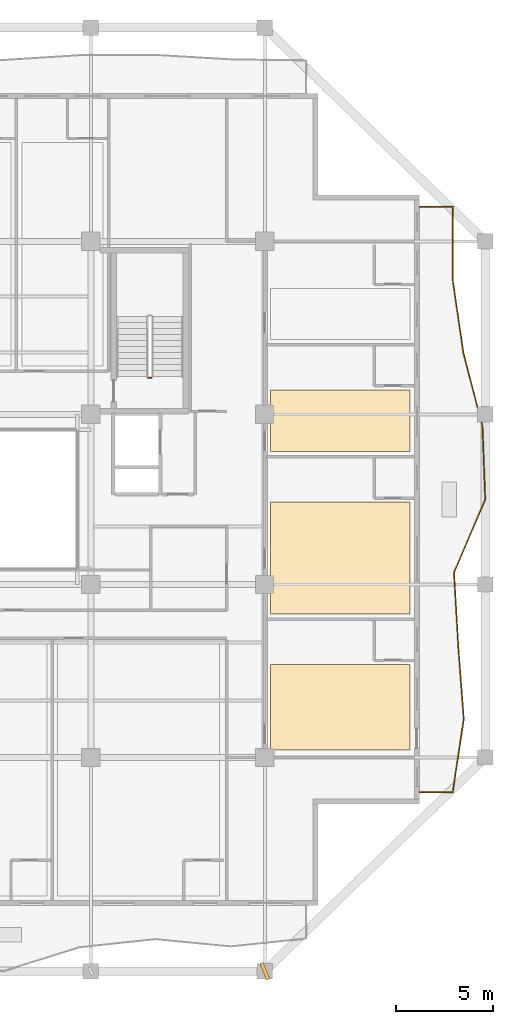
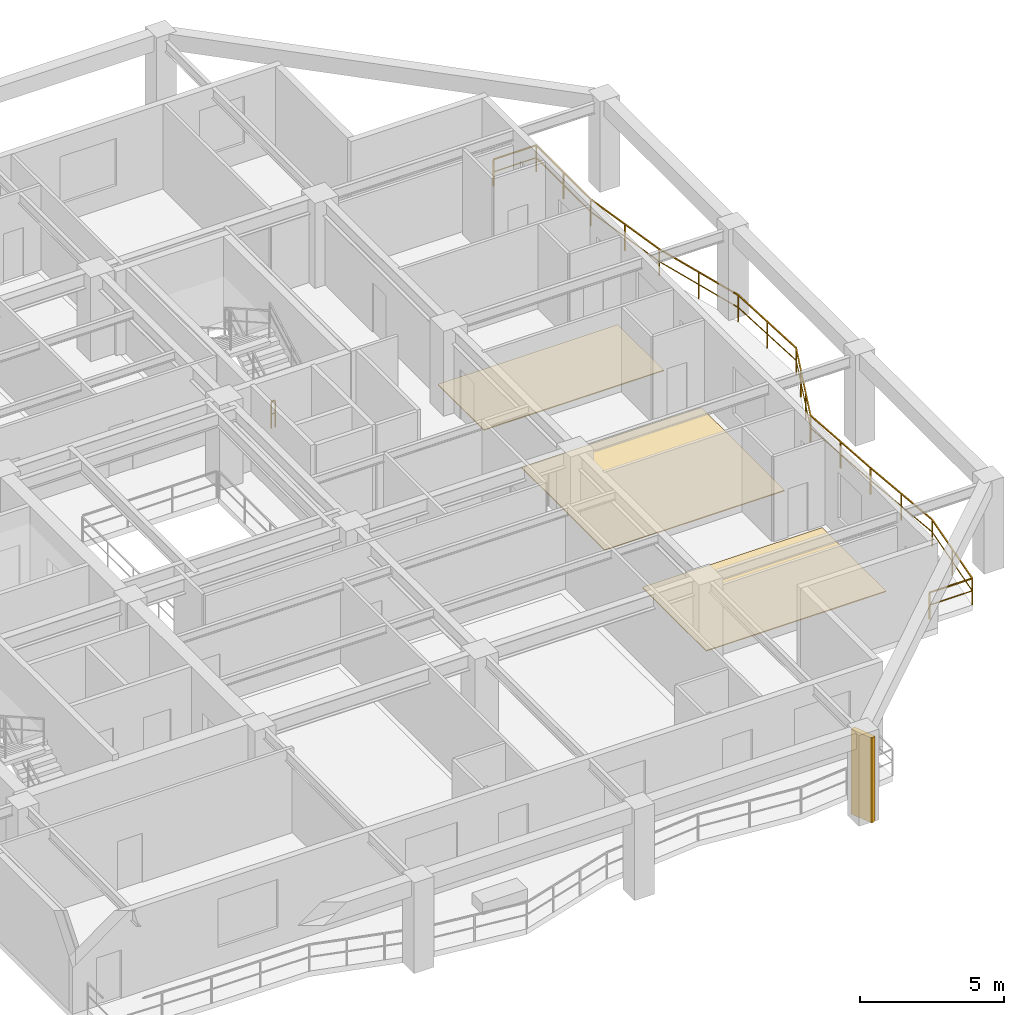
# One storey, part 10 of 13: 3 coverings, 2 railings, 1 shading device.
"""IFC4 building model written with IfcOpenShell, lengths in metres."""

import ifcopenshell
import ifcopenshell.guid

model = None  # the IFC model being written
_history = None  # IfcOwnerHistory: only IFC2X3 demands one
_inside = {}  # id of a spatial element -> (the spatial element, [elements in it])
_under = {}  # id of a project, library or spatial element -> (it, [spatial elements below it])
_declared = {}  # id of a project -> (the project, [libraries it declares])
_typed = {}  # id of a type object -> (the type object, [elements of that type])
_made_of = {}  # id of a material, layer set ... -> (it, [elements and type objects made of it])


def new_model(schema):
    """Start an empty IFC model of exactly this schema.

    Asked for "IFC4X3", IfcOpenShell would pick the latest addendum, in which some entities
    have other attributes; the version numbers below select the first issue.
    IFC2X3 requires an IfcOwnerHistory on every rooted entity: one is made here for all.
    """
    global model, _history
    if schema == "IFC4X3":
        model = ifcopenshell.file(schema_version=(4, 3, 0, 0))
    else:
        model = ifcopenshell.file(schema=schema)
    _inside.clear()
    _under.clear()
    _declared.clear()
    _typed.clear()
    _made_of.clear()
    _history = None
    if model.schema == "IFC2X3":
        org = make("IfcOrganization", Name="unknown")
        user = make(
            "IfcPersonAndOrganization",
            ThePerson=make("IfcPerson", FamilyName="unknown"),
            TheOrganization=org,
        )
        app = make(
            "IfcApplication",
            ApplicationDeveloper=org,
            Version="unknown",
            ApplicationFullName="unknown",
            ApplicationIdentifier="unknown",
        )
        _history = make(
            "IfcOwnerHistory",
            OwningUser=user,
            OwningApplication=app,
            ChangeAction="ADDED",
            CreationDate=0,
        )
    return model


def make(cls, **values):
    """One entity of the class cls with the attributes given. An attribute that is None is left unset."""
    return model.create_entity(
        cls, **{name: value for name, value in values.items() if value is not None}
    )


def rooted(cls, **values):
    """An entity with a GlobalId (a new one), such as an element, a storey or a relation."""
    return make(cls, GlobalId=ifcopenshell.guid.new(), OwnerHistory=_history, **values)


def si_unit(unit_type, name, prefix=None):
    """IfcSIUnit, for example si_unit("LENGTHUNIT", "METRE", prefix="MILLI")."""
    return make("IfcSIUnit", UnitType=unit_type, Prefix=prefix, Name=name)


def assignment(units):
    """IfcUnitAssignment: the units of a project."""
    return None if units is None else make("IfcUnitAssignment", Units=units)


def point(xyz):
    """IfcCartesianPoint."""
    return None if xyz is None else make("IfcCartesianPoint", Coordinates=xyz)


def direction(xyz):
    """IfcDirection."""
    return None if xyz is None else make("IfcDirection", DirectionRatios=xyz)


def frame(location, z_axis=None, x_axis=None):
    """IfcAxis2Placement3D, a coordinate frame: its origin and axes. An axis left out is left unset."""
    return make(
        "IfcAxis2Placement3D",
        Location=point(location),
        Axis=direction(z_axis),
        RefDirection=direction(x_axis),
    )


def frame_2d(location, x_axis=None):
    """IfcAxis2Placement2D, a coordinate frame in the plane: its origin and x axis."""
    return make(
        "IfcAxis2Placement2D", Location=point(location), RefDirection=direction(x_axis)
    )


def origin():
    """The frame at (0, 0, 0) with its axes left unset."""
    return frame((0.0, 0.0, 0.0))


def origin_2d():
    """The frame at (0, 0) in the plane with its x axis left unset."""
    return frame_2d((0.0, 0.0))


def place(relative_to, where):
    """IfcLocalPlacement: puts the frame where relative to a parent placement (None: the world)."""
    return make(
        "IfcLocalPlacement", PlacementRelTo=relative_to, RelativePlacement=where
    )


def context(
    kind, dimensions, precision=None, world=None, true_north=None, identifier=None
):
    """IfcGeometricRepresentationContext, for example the 3D "Model" context."""
    return make(
        "IfcGeometricRepresentationContext",
        ContextIdentifier=identifier,
        ContextType=kind,
        CoordinateSpaceDimension=dimensions,
        Precision=precision,
        WorldCoordinateSystem=world,
        TrueNorth=true_north,
    )


def subcontext(parent, identifier, kind, view, scale=None):
    """IfcGeometricRepresentationSubContext, for example "Body" below "Model"."""
    return make(
        "IfcGeometricRepresentationSubContext",
        ContextIdentifier=identifier,
        ContextType=kind,
        ParentContext=parent,
        TargetScale=scale,
        TargetView=view,
    )


def project(units=None, contexts=None):
    """IfcProject with its units and contexts."""
    return rooted(
        "IfcProject",
        Name="project",
        RepresentationContexts=contexts,
        UnitsInContext=assignment(units),
    )


def spatial(cls, under=None, at=None, **own):
    """A site, building, storey or space (cls), placed at a placement, below another one or the project."""
    s = rooted(cls, ObjectPlacement=at, **own)
    if under is not None:
        _under.setdefault(under.id(), (under, []))[1].append(s)
    return s


def polyline(points):
    """IfcPolyline through the points."""
    return make("IfcPolyline", Points=[point(p) for p in points])


def profile(cls, at=None, kind="AREA", **sizes):
    """A parametric profile (cls). Its sizes go by their IFC names, for example OverallWidth=200.0."""
    return make(cls, ProfileType=kind, Position=at, **sizes)


def rectangle(**sizes):
    """IfcRectangleProfileDef."""
    return profile("IfcRectangleProfileDef", **sizes)


def outline(outer, holes=None, kind="AREA"):
    """IfcArbitraryClosedProfileDef: a profile drawn as a closed curve; with holes, ...WithVoids."""
    if holes is None:
        return make("IfcArbitraryClosedProfileDef", ProfileType=kind, OuterCurve=outer)
    return make(
        "IfcArbitraryProfileDefWithVoids",
        ProfileType=kind,
        OuterCurve=outer,
        InnerCurves=holes,
    )


def extrude(swept, where, along, depth):
    """IfcExtrudedAreaSolid: the profile swept, set in the frame where, extruded along a direction by depth."""
    return make(
        "IfcExtrudedAreaSolid",
        SweptArea=swept,
        Position=where,
        ExtrudedDirection=direction(along),
        Depth=depth,
    )


def shape(context_of_items, identifier, shape_type, items):
    """IfcShapeRepresentation: the items that make up one representation, for example the "Body"."""
    return make(
        "IfcShapeRepresentation",
        ContextOfItems=context_of_items,
        RepresentationIdentifier=identifier,
        RepresentationType=shape_type,
        Items=items,
    )


def material(Name=None, Category=None):
    """IfcMaterial."""
    return make("IfcMaterial", Name=Name, Category=Category)


def layer(
    of_material, thickness, ventilated=None, Name=None, Category=None, Priority=None
):
    """IfcMaterialLayer: one layer of a wall or slab, of a material (None: an air gap)."""
    return make(
        "IfcMaterialLayer",
        Material=of_material,
        LayerThickness=thickness,
        IsVentilated=ventilated,
        Name=Name,
        Category=Category,
        Priority=Priority,
    )


def layer_set(layers, Name=None):
    """IfcMaterialLayerSet."""
    return make("IfcMaterialLayerSet", MaterialLayers=layers, LayerSetName=Name)


def made_of(thing, what):
    """Note that an element or type object is made of a material, layer set ...; save() writes the relation."""
    if what is not None:
        _made_of.setdefault(what.id(), (what, []))[1].append(thing)
    return thing


def type_object(cls, material=None, **own):
    """A type object (cls), such as IfcWallType, which elements share."""
    return made_of(rooted(cls, **own), material)


def element(
    cls,
    number,
    at=None,
    inside=None,
    cuts=None,
    type_object=None,
    material=None,
    context=None,
    identifier="Body",
    shape_type=None,
    held_by="IfcProductDefinitionShape",
    body=None,
    shapes=None,
    **own,
):
    """One element of the class cls, such as IfcWall. Its Tag is "e" and its number.

    at: its placement. inside: the storey or other place that contains it. cuts: it is an
    opening in that element (IfcRelVoidsElement). A single representation is given by context,
    identifier, shape_type and body (its items); several are given by shapes. held_by: the class
    of the entity that holds the representations. save() writes the other relations.
    """
    e = rooted(cls, Tag="e%d" % number, ObjectPlacement=at, **own)
    if body is not None:
        shapes = [shape(context, identifier, shape_type, body)]
    if shapes is not None:
        e.Representation = make(held_by, Representations=shapes)
    if inside is not None:
        _inside.setdefault(inside.id(), (inside, []))[1].append(e)
    if cuts is not None:
        rooted(
            "IfcRelVoidsElement", RelatingBuildingElement=cuts, RelatedOpeningElement=e
        )
    if type_object is not None:
        _typed.setdefault(type_object.id(), (type_object, []))[1].append(e)
    return made_of(e, material)


def aggregate(whole, parts):
    """IfcRelAggregates: a whole, such as a stair, and the parts it consists of."""
    return rooted("IfcRelAggregates", RelatingObject=whole, RelatedObjects=parts)


def save(model, path):
    """Write the relations noted so far, then the file.

    IfcRelAggregates (storeys below a building ...), IfcRelContainedInSpatialStructure (elements
    in a storey), IfcRelDefinesByType, IfcRelAssociatesMaterial and IfcRelDeclares: one each for
    every whole, place, type object, material and project.
    """
    for whole, parts in _under.values():
        aggregate(whole, parts)
    for where, things in _inside.values():
        rooted(
            "IfcRelContainedInSpatialStructure",
            RelatedElements=things,
            RelatingStructure=where,
        )
    for kind, things in _typed.values():
        rooted("IfcRelDefinesByType", RelatedObjects=things, RelatingType=kind)
    for what, things in _made_of.values():
        rooted("IfcRelAssociatesMaterial", RelatedObjects=things, RelatingMaterial=what)
    for by, libraries in _declared.values():
        rooted("IfcRelDeclares", RelatingContext=by, RelatedDefinitions=libraries)
    model.write(path)


model = new_model("IFC4")

# Units and contexts
model_context = context("Model", 3, precision=1e-05, world=origin(), true_north=direction((0.0, 1.0)))
body_context = subcontext(model_context, "Body", "Model", "MODEL_VIEW")
ifc_project = project(units=[si_unit("LENGTHUNIT", "METRE"), si_unit("AREAUNIT", "SQUARE_METRE"), si_unit("VOLUMEUNIT", "CUBIC_METRE"), si_unit("PLANEANGLEUNIT", "RADIAN"), si_unit("MASSUNIT", "GRAM", prefix="KILO")], contexts=[model_context])

# Site, building, storey
site_placement = place(None, origin())
site = spatial("IfcSite", under=ifc_project, at=site_placement, CompositionType="ELEMENT")
building_placement = place(site_placement, origin())
building = spatial("IfcBuilding", under=site, at=building_placement, Name="Kundavana Baori Tower", CompositionType="ELEMENT")
storey_placement = place(building_placement, frame((0.0, 0.0, 161.75)))
storey = spatial("IfcBuildingStorey", under=building, at=storey_placement, Name="L39", CompositionType="ELEMENT", Elevation=161.75)

# Coverings
ifc_material_1 = material(Name="Honed Kota Stone and Terrazzo Flooring", Category="masonry")
ifc_layer = layer(ifc_material_1, 0.0400390625, Name="COV-FLR-TERR-40")
ifc_layer_set = layer_set([ifc_layer], Name="Honed Kota Stone and Terrazzo Flooring")
covering_type = type_object("IfcCoveringType", Name="COV-FLR-TERR-40", PredefinedType="FLOORING", material=ifc_layer_set)
covering_1_placement = place(storey_placement, origin())
element("IfcCovering", 1, at=covering_1_placement, inside=storey, type_object=covering_type, Name="L39 Room Finished Stone Flooring 7", PredefinedType="FLOORING", context=body_context, shape_type="SweptSolid", body=[
    extrude(outline(polyline([(43.10009765625, 15.6298828125), (50.320068359375, 15.6298828125), (50.320068359375, 20.070068359375), (43.10009765625, 20.070068359375), (43.10009765625, 15.6298828125)])), origin(), (0.0, 0.0, 1.0), 0.0400390625),
])
covering_2_placement = place(storey_placement, origin())
element("IfcCovering", 2, at=covering_2_placement, inside=storey, type_object=covering_type, Name="L39 Room Finished Stone Flooring 8", PredefinedType="FLOORING", context=body_context, shape_type="SweptSolid", body=[
    extrude(outline(polyline([(43.10009765625, 22.679931640625), (50.320068359375, 22.679931640625), (50.320068359375, 28.469970703125), (43.10009765625, 28.469970703125), (43.10009765625, 22.679931640625)])), origin(), (0.0, 0.0, 1.0), 0.0400390625),
])
covering_3_placement = place(storey_placement, origin())
element("IfcCovering", 3, at=covering_3_placement, inside=storey, type_object=covering_type, Name="L39 Room Finished Stone Flooring 9", PredefinedType="FLOORING", context=body_context, shape_type="SweptSolid", body=[
    extrude(outline(polyline([(43.10009765625, 31.080078125), (50.320068359375, 31.080078125), (50.320068359375, 34.27001953125), (43.10009765625, 34.27001953125), (43.10009765625, 31.080078125)])), origin(), (0.0, 0.0, 1.0), 0.0400390625),
])

# Railings
ifc_material_2 = material(Name="Architectural Patinated Bronze Metalwork")
railing_type_1 = type_object("IfcRailingType", Name="RL-BAL-1150", PredefinedType="BALUSTRADE", material=ifc_material_2)
railing_1_placement = place(storey_placement, frame((50.800048828125, 43.75, 0.0)))
element("IfcRailing", 4, at=railing_1_placement, inside=storey, type_object=railing_type_1, Name="L39 Loggia Balcony Balustrade E", PredefinedType="BALUSTRADE", context=body_context, shape_type="SweptSolid", body=[
    extrude(rectangle(XDim=0.048095703125, YDim=0.048095703125, at=origin_2d()), frame((0.0, 0.0, 1.1259765625), z_axis=(1.0, 0.0, 0.0), x_axis=(0.0, 1.0, 0.0)), (0.0, 0.0, 1.0), 1.719970703125),
    extrude(rectangle(XDim=0.03125, YDim=0.03125, at=origin_2d()), frame((0.0, 0.0, 0.597900390625), z_axis=(1.0, 0.0, 0.0), x_axis=(0.0, 1.0, 0.0)), (0.0, 0.0, 1.0), 1.719970703125),
    extrude(rectangle(XDim=0.048095703125, YDim=0.048095703125, at=origin_2d()), frame((1.719970703125, 0.0, 1.1259765625), z_axis=(0.0, -1.0, 0.0), x_axis=(1.0, 0.0, 0.0)), (0.0, 0.0, 1.0), 3.7880859375),
    extrude(rectangle(XDim=0.03125, YDim=0.03125, at=origin_2d()), frame((1.719970703125, 0.0, 0.597900390625), z_axis=(0.0, -1.0, 0.0), x_axis=(1.0, 0.0, 0.0)), (0.0, 0.0, 1.0), 3.7880859375),
    extrude(rectangle(XDim=0.048095703125, YDim=0.048095703125, at=origin_2d()), frame((1.719970703125, -3.7880859375, 1.1259765625), z_axis=(0.144742818996, -0.989469310464, 0.0), x_axis=(0.989469310464, 0.144742818996, 0.0)), (0.0, 0.0, 1.0), 3.8271484375),
    extrude(rectangle(XDim=0.03125, YDim=0.03125, at=origin_2d()), frame((1.719970703125, -3.7880859375, 0.597900390625), z_axis=(0.144742818996, -0.989469310464, 0.0), x_axis=(0.989469310464, 0.144742818996, 0.0)), (0.0, 0.0, 1.0), 3.8271484375),
    extrude(rectangle(XDim=0.048095703125, YDim=0.048095703125, at=origin_2d()), frame((2.27392578125, -7.574951171875, 1.1259765625), z_axis=(0.251743716415, -0.967793935322, 0.0), x_axis=(0.967793935322, 0.251743716415, 0.0)), (0.0, 0.0, 1.0), 3.9130859375),
    extrude(rectangle(XDim=0.03125, YDim=0.03125, at=origin_2d()), frame((2.27392578125, -7.574951171875, 0.597900390625), z_axis=(0.251743716415, -0.967793935322, 0.0), x_axis=(0.967793935322, 0.251743716415, 0.0)), (0.0, 0.0, 1.0), 3.9130859375),
    extrude(rectangle(XDim=0.048095703125, YDim=0.048095703125, at=origin_2d()), frame((3.259033203125, -11.362060546875, 1.1259765625), z_axis=(0.037164124663, -0.9993091753, 0.0), x_axis=(0.9993091753, 0.037164124663, 0.0)), (0.0, 0.0, 1.0), 3.79052734375),
    extrude(rectangle(XDim=0.03125, YDim=0.03125, at=origin_2d()), frame((3.259033203125, -11.362060546875, 0.597900390625), z_axis=(0.037164124663, -0.9993091753, 0.0), x_axis=(0.9993091753, 0.037164124663, 0.0)), (0.0, 0.0, 1.0), 3.79052734375),
    extrude(rectangle(XDim=0.048095703125, YDim=0.048095703125, at=origin_2d()), frame((3.39990234375, -15.14990234375, 1.1259765625), z_axis=(-0.391326505536, -0.920251903592, 0.0), x_axis=(0.920251903592, -0.391326505536, 0.0)), (0.0, 0.0, 1.0), 4.116455078125),
    extrude(rectangle(XDim=0.03125, YDim=0.03125, at=origin_2d()), frame((3.39990234375, -15.14990234375, 0.597900390625), z_axis=(-0.391326505536, -0.920251903592, 0.0), x_axis=(0.920251903592, -0.391326505536, 0.0)), (0.0, 0.0, 1.0), 4.116455078125),
    extrude(rectangle(XDim=0.048095703125, YDim=0.048095703125, at=origin_2d()), frame((1.7890625, -18.93798828125, 1.1259765625), z_axis=(0.057152432435, -0.998365463879, 0.0), x_axis=(0.998365463879, 0.057152432435, 0.0)), (0.0, 0.0, 1.0), 3.793212890625),
    extrude(rectangle(XDim=0.03125, YDim=0.03125, at=origin_2d()), frame((1.7890625, -18.93798828125, 0.597900390625), z_axis=(0.057152432435, -0.998365463879, 0.0), x_axis=(0.998365463879, 0.057152432435, 0.0)), (0.0, 0.0, 1.0), 3.793212890625),
    extrude(rectangle(XDim=0.048095703125, YDim=0.048095703125, at=origin_2d()), frame((2.005859375, -22.72509765625, 1.1259765625), z_axis=(0.075855855639, -0.997118793908, 0.0), x_axis=(0.997118793908, 0.075855855639, 0.0)), (0.0, 0.0, 1.0), 3.7978515625),
    extrude(rectangle(XDim=0.03125, YDim=0.03125, at=origin_2d()), frame((2.005859375, -22.72509765625, 0.597900390625), z_axis=(0.075855855639, -0.997118793908, 0.0), x_axis=(0.997118793908, 0.075855855639, 0.0)), (0.0, 0.0, 1.0), 3.7978515625),
    extrude(rectangle(XDim=0.048095703125, YDim=0.048095703125, at=origin_2d()), frame((2.2939453125, -26.511962890625, 1.1259765625), z_axis=(-0.149811042356, -0.988714646189, 0.0), x_axis=(0.988714646189, -0.149811042356, 0.0)), (0.0, 0.0, 1.0), 3.831298828125),
    extrude(rectangle(XDim=0.03125, YDim=0.03125, at=origin_2d()), frame((2.2939453125, -26.511962890625, 0.597900390625), z_axis=(-0.149811042356, -0.988714646189, 0.0), x_axis=(0.988714646189, -0.149811042356, 0.0)), (0.0, 0.0, 1.0), 3.831298828125),
    extrude(rectangle(XDim=0.048095703125, YDim=0.048095703125, at=origin_2d()), frame((1.719970703125, -30.300048828125, 1.1259765625), z_axis=(-1.0, 0.0, 0.0), x_axis=(0.0, -1.0, 0.0)), (0.0, 0.0, 1.0), 1.719970703125),
    extrude(rectangle(XDim=0.03125, YDim=0.03125, at=origin_2d()), frame((1.719970703125, -30.300048828125, 0.597900390625), z_axis=(-1.0, 0.0, 0.0), x_axis=(0.0, -1.0, 0.0)), (0.0, 0.0, 1.0), 1.719970703125),
    extrude(rectangle(XDim=0.0419921875, YDim=0.0419921875, at=origin_2d()), origin(), (0.0, 0.0, 1.0), 1.101806640625),
    extrude(rectangle(XDim=0.0419921875, YDim=0.0419921875, at=origin_2d()), frame((1.719970703125, 0.0, 0.0)), (0.0, 0.0, 1.0), 1.101806640625),
    extrude(rectangle(XDim=0.0419921875, YDim=0.0419921875, at=origin_2d()), frame((1.719970703125, -1.89404296875, 0.0)), (0.0, 0.0, 1.0), 1.101806640625),
    extrude(rectangle(XDim=0.0419921875, YDim=0.0419921875, at=origin_2d()), frame((1.719970703125, -3.7880859375, 0.0)), (0.0, 0.0, 1.0), 1.101806640625),
    extrude(rectangle(XDim=0.0419921875, YDim=0.0419921875, at=origin_2d()), frame((1.9970703125, -5.681640625, 0.0)), (0.0, 0.0, 1.0), 1.101806640625),
    extrude(rectangle(XDim=0.0419921875, YDim=0.0419921875, at=origin_2d()), frame((2.27392578125, -7.574951171875, 0.0)), (0.0, 0.0, 1.0), 1.101806640625),
    extrude(rectangle(XDim=0.0419921875, YDim=0.0419921875, at=origin_2d()), frame((2.7666015625, -9.468505859375, 0.0)), (0.0, 0.0, 1.0), 1.101806640625),
    extrude(rectangle(XDim=0.0419921875, YDim=0.0419921875, at=origin_2d()), frame((3.259033203125, -11.362060546875, 0.0)), (0.0, 0.0, 1.0), 1.101806640625),
    extrude(rectangle(XDim=0.0419921875, YDim=0.0419921875, at=origin_2d()), frame((3.32958984375, -13.255859375, 0.0)), (0.0, 0.0, 1.0), 1.101806640625),
    extrude(rectangle(XDim=0.0419921875, YDim=0.0419921875, at=origin_2d()), frame((3.39990234375, -15.14990234375, 0.0)), (0.0, 0.0, 1.0), 1.101806640625),
    extrude(rectangle(XDim=0.0419921875, YDim=0.0419921875, at=origin_2d()), frame((2.863037109375, -16.41259765625, 0.0)), (0.0, 0.0, 1.0), 1.101806640625),
    extrude(rectangle(XDim=0.0419921875, YDim=0.0419921875, at=origin_2d()), frame((2.325927734375, -17.67529296875, 0.0)), (0.0, 0.0, 1.0), 1.101806640625),
    extrude(rectangle(XDim=0.0419921875, YDim=0.0419921875, at=origin_2d()), frame((1.7890625, -18.93798828125, 0.0)), (0.0, 0.0, 1.0), 1.101806640625),
    extrude(rectangle(XDim=0.0419921875, YDim=0.0419921875, at=origin_2d()), frame((1.8974609375, -20.83154296875, 0.0)), (0.0, 0.0, 1.0), 1.101806640625),
    extrude(rectangle(XDim=0.0419921875, YDim=0.0419921875, at=origin_2d()), frame((2.005859375, -22.72509765625, 0.0)), (0.0, 0.0, 1.0), 1.101806640625),
    extrude(rectangle(XDim=0.0419921875, YDim=0.0419921875, at=origin_2d()), frame((2.14990234375, -24.61865234375, 0.0)), (0.0, 0.0, 1.0), 1.101806640625),
    extrude(rectangle(XDim=0.0419921875, YDim=0.0419921875, at=origin_2d()), frame((2.2939453125, -26.511962890625, 0.0)), (0.0, 0.0, 1.0), 1.101806640625),
    extrude(rectangle(XDim=0.0419921875, YDim=0.0419921875, at=origin_2d()), frame((2.0068359375, -28.406005859375, 0.0)), (0.0, 0.0, 1.0), 1.101806640625),
    extrude(rectangle(XDim=0.0419921875, YDim=0.0419921875, at=origin_2d()), frame((1.719970703125, -30.300048828125, 0.0)), (0.0, 0.0, 1.0), 1.101806640625),
    extrude(rectangle(XDim=0.0419921875, YDim=0.0419921875, at=origin_2d()), frame((0.0, -30.300048828125, 0.0)), (0.0, 0.0, 1.0), 1.101806640625),
])
ifc_material_3 = material(Name="Architectural Patinated Bronze Metalwork")
railing_type_2 = type_object("IfcRailingType", Name="RL-GRD-1150", PredefinedType="GUARDRAIL", material=ifc_material_3)
railing_2_placement = place(storey_placement, frame((36.929931640625, 34.89990234375, 0.0)))
element("IfcRailing", 5, at=railing_2_placement, inside=storey, type_object=railing_type_2, Name="L39 ST3 stair guard 4", PredefinedType="GUARDRAIL", context=body_context, shape_type="SweptSolid", body=[
    extrude(rectangle(XDim=0.048095703125, YDim=0.048095703125, at=origin_2d()), frame((0.0, 0.0, 1.1259765625), z_axis=(-1.0, 0.0, 0.0), x_axis=(0.0, -1.0, 0.0)), (0.0, 0.0, 1.0), 0.159912109375),
    extrude(rectangle(XDim=0.03125, YDim=0.03125, at=origin_2d()), frame((0.0, 0.0, 0.597900390625), z_axis=(-1.0, 0.0, 0.0), x_axis=(0.0, -1.0, 0.0)), (0.0, 0.0, 1.0), 0.159912109375),
    extrude(rectangle(XDim=0.0419921875, YDim=0.0419921875, at=origin_2d()), origin(), (0.0, 0.0, 1.0), 1.101806640625),
    extrude(rectangle(XDim=0.0419921875, YDim=0.0419921875, at=origin_2d()), frame((-0.159912109375, 0.0, 0.0)), (0.0, 0.0, 1.0), 1.101806640625),
])

# Shading device
ifc_material_4 = material(Name="Red-Buff Dholpur Sandstone Cladding on Concrete C40/50", Category="masonry")
shading_device_type = type_object("IfcShadingDeviceType", Name="SHD-FIN-920", PredefinedType="JALOUSIE", material=ifc_material_4)
shading_device_placement = place(storey_placement, frame((42.800048828125, 4.199951171875, 0.0), z_axis=(0.0, 0.0, 1.0), x_axis=(0.92267273987, 0.385583992277, 0.0)))
element("IfcShadingDevice", 6, at=shading_device_placement, inside=storey, type_object=shading_device_type, Name="L39 Sweeping Dholpur Sandstone Facade Fin 4", PredefinedType="JALOUSIE", context=body_context, shape_type="SweptSolid", body=[
    extrude(rectangle(XDim=0.179931640625, YDim=0.919921875, at=origin_2d()), origin(), (0.0, 0.0, 1.0), 3.60009765625),
])

save(model, "model.ifc")
